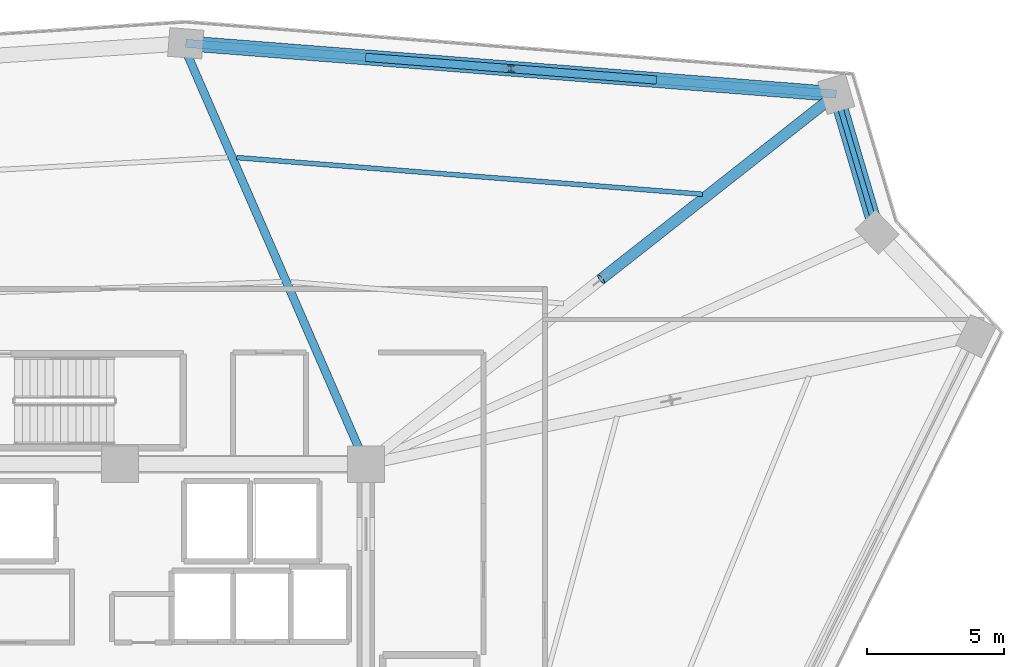
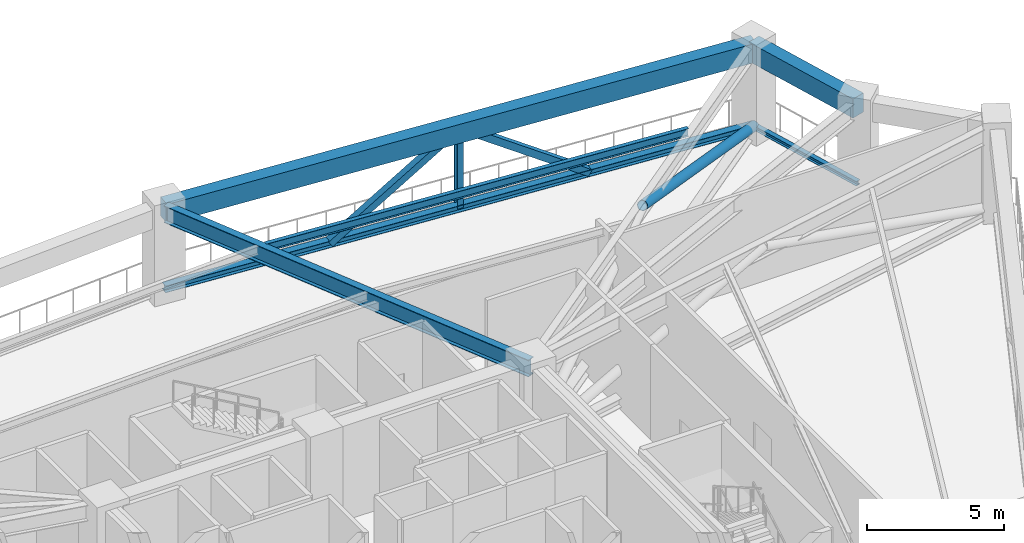
# One storey, part 10 of 22: 6 members, 4 beams.
"""IFC4 building model written with IfcOpenShell, lengths in metres."""

from ifc_helpers import new_model, si_unit, direction, frame, origin, origin_2d, place, context, subcontext, project, spatial, rectangle, hollow_rectangle, hollow_circle, i_section, extrude, source, transform, mapped, material, material_profile, profile_set, type_object, element, save


model = new_model("IFC4")

# Units and contexts
model_context = context("Model", 3, precision=1e-05, world=origin(), true_north=direction((0.0, 1.0)))
body_context = subcontext(model_context, "Body", "Model", "MODEL_VIEW")
ifc_project = project(units=[si_unit("LENGTHUNIT", "METRE"), si_unit("AREAUNIT", "SQUARE_METRE"), si_unit("VOLUMEUNIT", "CUBIC_METRE"), si_unit("PLANEANGLEUNIT", "RADIAN"), si_unit("MASSUNIT", "GRAM", prefix="KILO")], contexts=[model_context])

# Site, building, storey
site_placement = place(None, origin())
site = spatial("IfcSite", under=ifc_project, at=site_placement, CompositionType="ELEMENT")
building_placement = place(site_placement, origin())
building = spatial("IfcBuilding", under=site, at=building_placement, Name="Liaohun Quay Tower", CompositionType="ELEMENT")
storey_placement = place(building_placement, frame((0.0, 0.0, 277.5)))
storey = spatial("IfcBuildingStorey", under=building, at=storey_placement, Name="L72", CompositionType="ELEMENT", Elevation=277.5)

# Member
ifc_material_1 = material(Name="Steel Q355D", Category="steel")
ifc_material_profile_1 = material_profile(ifc_material_1, i_section(OverallWidth=0.25, OverallDepth=0.25, WebThickness=0.009033203125, FlangeThickness=0.013916015625, at=origin_2d()), Name="HW250x250x9x14")
ifc_profile_set_1 = profile_set([ifc_material_profile_1], Name="Steel Q355D")
member_type_1 = type_object("IfcMemberType", Name="MEM-BLT-PST", PredefinedType="POST", material=ifc_profile_set_1)
shared_shape_1 = source(origin(), body_context, "Body", "SweptSolid", [
    extrude(i_section(OverallWidth=0.25, OverallDepth=0.25, WebThickness=0.009033203125, FlangeThickness=0.013916015625, at=origin_2d()), origin(), (0.0, 0.0, 1.0), 3.56982421875),
])
member_1_placement = place(storey_placement, frame((74.31103515625, 75.969970703125, 0.35009765625), z_axis=(0.0, 0.0, 1.0), x_axis=(1.0, 0.0, 0.0)))
element("IfcMember", 1, at=member_1_placement, inside=storey, type_object=member_type_1, Name="L72 Belt Truss Vertical Post BP-1-04", PredefinedType="POST", context=body_context, shape_type="MappedRepresentation", body=[
    mapped(shared_shape_1, transform((0.0, 0.0, 0.0), x_axis=(1.0, 0.0, 0.0), y_axis=(0.0, 1.0, 0.0), z_axis=(0.0, 0.0, 1.0), scale=1.0)),
])

# Beams
ifc_material_2 = material(Name="Precast concrete C50", Category="concrete")
ifc_material_profile_2 = material_profile(ifc_material_2, rectangle(XDim=0.550048828125, YDim=0.85009765625, at=origin_2d()), Name="RC550x850")
ifc_profile_set_2 = profile_set([ifc_material_profile_2], Name="Precast concrete C50")
beam_type_1 = type_object("IfcBeamType", Name="BM-SPD-Z3", PredefinedType="SPANDREL", material=ifc_profile_set_2)
shared_shape_2 = source(origin(), body_context, "Body", "SweptSolid", [
    extrude(rectangle(XDim=0.550048828125, YDim=0.85009765625, at=origin_2d()), origin(), (0.0, 0.0, 1.0), 23.870361328125),
])
beam_1_placement = place(storey_placement, frame((62.412109375, 76.89892578125, 3.794921875), z_axis=(0.996963183645, -0.07787432476, 0.0), x_axis=(0.07787432476, 0.996963183645, 0.0)))
element("IfcBeam", 2, at=beam_1_placement, inside=storey, type_object=beam_type_1, Name="L72 Precast Spandrel Beam PC06-PC07", PredefinedType="SPANDREL", context=body_context, shape_type="MappedRepresentation", body=[
    mapped(shared_shape_2, transform((0.0, 0.0, 0.0), x_axis=(1.0, 0.0, 0.0), y_axis=(0.0, 1.0, 0.0), z_axis=(0.0, 0.0, 1.0), scale=1.0)),
])
shared_shape_3 = source(origin(), body_context, "Body", "SweptSolid", [
    extrude(rectangle(XDim=0.550048828125, YDim=0.85009765625, at=origin_2d()), origin(), (0.0, 0.0, 1.0), 5.262939453125),
])
beam_2_placement = place(storey_placement, frame((86.2099609375, 75.0400390625, 3.794921875), z_axis=(0.282743925376, -0.959195429859, 0.0), x_axis=(0.959195429859, 0.282743925376, 0.0)))
element("IfcBeam", 3, at=beam_2_placement, inside=storey, type_object=beam_type_1, Name="L72 Precast Spandrel Beam PC07-PC08", PredefinedType="SPANDREL", context=body_context, shape_type="MappedRepresentation", body=[
    mapped(shared_shape_3, transform((0.0, 0.0, 0.0), x_axis=(1.0, 0.0, 0.0), y_axis=(0.0, 1.0, 0.0), z_axis=(0.0, 0.0, 1.0), scale=1.0)),
])
ifc_material_profile_3 = material_profile(ifc_material_1, i_section(OverallWidth=0.300048828125, OverallDepth=0.75, WebThickness=0.013916015625, FlangeThickness=0.02587890625, at=origin_2d()), Name="HN750x300x14x26")
ifc_profile_set_3 = profile_set([ifc_material_profile_3], Name="Steel Q355D")
beam_type_2 = type_object("IfcBeamType", Name="BM-RAD-M2", PredefinedType="BEAM", material=ifc_profile_set_3)
shared_shape_4 = source(origin(), body_context, "Body", "SweptSolid", [
    extrude(i_section(OverallWidth=0.300048828125, OverallDepth=0.75, WebThickness=0.013916015625, FlangeThickness=0.02587890625, at=origin_2d()), origin(), (0.0, 0.0, 1.0), 16.55517578125),
])
beam_3_placement = place(storey_placement, frame((69.0, 61.5, 3.844970703125), z_axis=(-0.399454501364, 0.916753020906, 0.0), x_axis=(-0.916753020906, -0.399454501364, 0.0)))
element("IfcBeam", 4, at=beam_3_placement, inside=storey, type_object=beam_type_2, Name="L72 Radial Primary Girder CC4-PC06", PredefinedType="BEAM", context=body_context, shape_type="MappedRepresentation", body=[
    mapped(shared_shape_4, transform((0.0, 0.0, 0.0), x_axis=(1.0, 0.0, 0.0), y_axis=(0.0, 1.0, 0.0), z_axis=(0.0, 0.0, 1.0), scale=1.0)),
])
ifc_material_profile_4 = material_profile(ifc_material_1, i_section(OverallWidth=0.175048828125, OverallDepth=0.35009765625, WebThickness=0.007080078125, FlangeThickness=0.010986328125, at=origin_2d()), Name="HN350x175x7x11")
ifc_profile_set_4 = profile_set([ifc_material_profile_4], Name="Steel Q355D")
beam_type_3 = type_object("IfcBeamType", Name="BM-SEC-J3", PredefinedType="JOIST", material=ifc_profile_set_4)
shared_shape_5 = source(origin(), body_context, "Body", "SweptSolid", [
    extrude(i_section(OverallWidth=0.175048828125, OverallDepth=0.35009765625, WebThickness=0.007080078125, FlangeThickness=0.010986328125, at=origin_2d()), origin(), (0.0, 0.0, 1.0), 17.0927734375),
])
beam_4_placement = place(storey_placement, frame((64.27587890625, 72.718017578125, 4.044921875), z_axis=(0.996912935255, -0.078514963681, 0.0), x_axis=(0.078514963681, 0.996912935255, 0.0)))
element("IfcBeam", 5, at=beam_4_placement, inside=storey, type_object=beam_type_3, Name="L72 Wing Secondary Floor Joist SJ-09", PredefinedType="JOIST", context=body_context, shape_type="MappedRepresentation", body=[
    mapped(shared_shape_5, transform((0.0, 0.0, 0.0), x_axis=(1.0, 0.0, 0.0), y_axis=(0.0, 1.0, 0.0), z_axis=(0.0, 0.0, 1.0), scale=1.0)),
])

# Members
ifc_material_3 = material(Name="Steel Q420D", Category="steel")
ifc_material_profile_5 = material_profile(ifc_material_3, hollow_circle(Radius=0.202880859375, WallThickness=0.01611328125, at=origin_2d()), Name="CHS406x16")
ifc_profile_set_5 = profile_set([ifc_material_profile_5], Name="Steel Q420D")
member_type_2 = type_object("IfcMemberType", Name="MEM-OUT-DG2", PredefinedType="BRACE", material=ifc_profile_set_5)
shared_shape_6 = source(origin(), body_context, "Body", "SweptSolid", [
    extrude(hollow_circle(Radius=0.202880859375, WallThickness=0.01611328125, at=origin_2d()), origin(), (0.0, 0.0, 1.0), 11.51611328125),
])
member_2_placement = place(storey_placement, frame((77.60498046875, 68.27001953125, 3.919921875), z_axis=(0.7472076104, 0.587870028837, -0.309983251412), x_axis=(-0.618327598881, 0.785920467008, 0.0)))
element("IfcMember", 6, at=member_2_placement, inside=storey, type_object=member_type_2, Name="L72 Outrigger Diagonal OD-04B", PredefinedType="BRACE", context=body_context, shape_type="MappedRepresentation", body=[
    mapped(shared_shape_6, transform((0.0, 0.0, 0.0), x_axis=(1.0, 0.0, 0.0), y_axis=(0.0, 1.0, 0.0), z_axis=(0.0, 0.0, 1.0), scale=1.0)),
])
ifc_material_profile_6 = material_profile(ifc_material_1, hollow_rectangle(XDim=0.300048828125, YDim=0.300048828125, WallThickness=0.013916015625, at=origin_2d()), Name="SHS300x300x14")
ifc_profile_set_6 = profile_set([ifc_material_profile_6], Name="Steel Q355D")
member_type_3 = type_object("IfcMemberType", Name="MEM-BLT-DG3", PredefinedType="BRACE", material=ifc_profile_set_6)
shared_shape_7 = source(origin(), body_context, "Body", "SweptSolid", [
    extrude(hollow_rectangle(XDim=0.300048828125, YDim=0.300048828125, WallThickness=0.013916015625, at=origin_2d()), origin(), (0.0, 0.0, 1.0), 6.350341796875),
])
for number, where, z_axis, x_axis, name in (
    (7, (69.074951171875, 76.3779296875, 0.35009765625), (0.824537715326, -0.064242202747, 0.562148108057), (0.077677583196, 0.9969785319, 0.0), "L72 Belt Truss Diagonal BD-04A"),
    (8, (74.31103515625, 75.969970703125, 3.919921875), (0.824529559875, -0.064395347265, -0.562142547885), (0.077862399995, 0.996964115035, 0.0), "L72 Belt Truss Diagonal BD-04B"),
):
    element("IfcMember", number, at=place(storey_placement, frame(where, z_axis=z_axis, x_axis=x_axis)), inside=storey, type_object=member_type_3, Name=name, PredefinedType="BRACE", context=body_context, shape_type="MappedRepresentation", body=[
        mapped(shared_shape_7, transform((0.0, 0.0, 0.0), x_axis=(1.0, 0.0, 0.0), y_axis=(0.0, 1.0, 0.0), z_axis=(0.0, 0.0, 1.0), scale=1.0)),
    ])
ifc_material_profile_7 = material_profile(ifc_material_1, i_section(OverallWidth=0.300048828125, OverallDepth=0.300048828125, WebThickness=0.010009765625, FlangeThickness=0.014892578125, at=origin_2d()), Name="HW300x300x10x15")
ifc_profile_set_7 = profile_set([ifc_material_profile_7], Name="Steel Q355D")
member_type_4 = type_object("IfcMemberType", Name="MEM-BLT-CHD", PredefinedType="CHORD", material=ifc_profile_set_7)
shared_shape_8 = source(origin(), body_context, "Body", "SweptSolid", [
    extrude(i_section(OverallWidth=0.300048828125, OverallDepth=0.300048828125, WebThickness=0.010009765625, FlangeThickness=0.014892578125, at=origin_2d()), origin(), (0.0, 0.0, 1.0), 23.870361328125),
])
member_3_placement = place(storey_placement, frame((62.412109375, 76.89892578125, 0.35009765625), z_axis=(0.996963183645, -0.07787432476, 0.0), x_axis=(0.07787432476, 0.996963183645, 0.0)))
element("IfcMember", 9, at=member_3_placement, inside=storey, type_object=member_type_4, Name="L72 Belt Truss Bottom Chord BC-1-04", PredefinedType="CHORD", context=body_context, shape_type="MappedRepresentation", body=[
    mapped(shared_shape_8, transform((0.0, 0.0, 0.0), x_axis=(1.0, 0.0, 0.0), y_axis=(0.0, 1.0, 0.0), z_axis=(0.0, 0.0, 1.0), scale=1.0)),
])
ifc_material_profile_8 = material_profile(ifc_material_1, i_section(OverallWidth=0.199951171875, OverallDepth=0.199951171875, WebThickness=0.008056640625, FlangeThickness=0.011962890625, at=origin_2d()), Name="HW200x200x8x12")
ifc_profile_set_8 = profile_set([ifc_material_profile_8], Name="Steel Q355D")
member_type_5 = type_object("IfcMemberType", Name="MEM-HDR-TRM", PredefinedType="STUD", material=ifc_profile_set_8)
shared_shape_9 = source(origin(), body_context, "Body", "SweptSolid", [
    extrude(i_section(OverallWidth=0.199951171875, OverallDepth=0.199951171875, WebThickness=0.008056640625, FlangeThickness=0.011962890625, at=origin_2d()), origin(), (0.0, 0.0, 1.0), 5.262939453125),
])
member_4_placement = place(storey_placement, frame((86.2099609375, 75.0400390625, 0.35009765625), z_axis=(0.282743925376, -0.959195429859, 0.0), x_axis=(0.959195429859, 0.282743925376, 0.0)))
element("IfcMember", 10, at=member_4_placement, inside=storey, type_object=member_type_5, Name="L72 Refuge Notch Header Tie Stud HT-1-02", PredefinedType="STUD", context=body_context, shape_type="MappedRepresentation", body=[
    mapped(shared_shape_9, transform((0.0, 0.0, 0.0), x_axis=(1.0, 0.0, 0.0), y_axis=(0.0, 1.0, 0.0), z_axis=(0.0, 0.0, 1.0), scale=1.0)),
])

save(model, "model.ifc")
